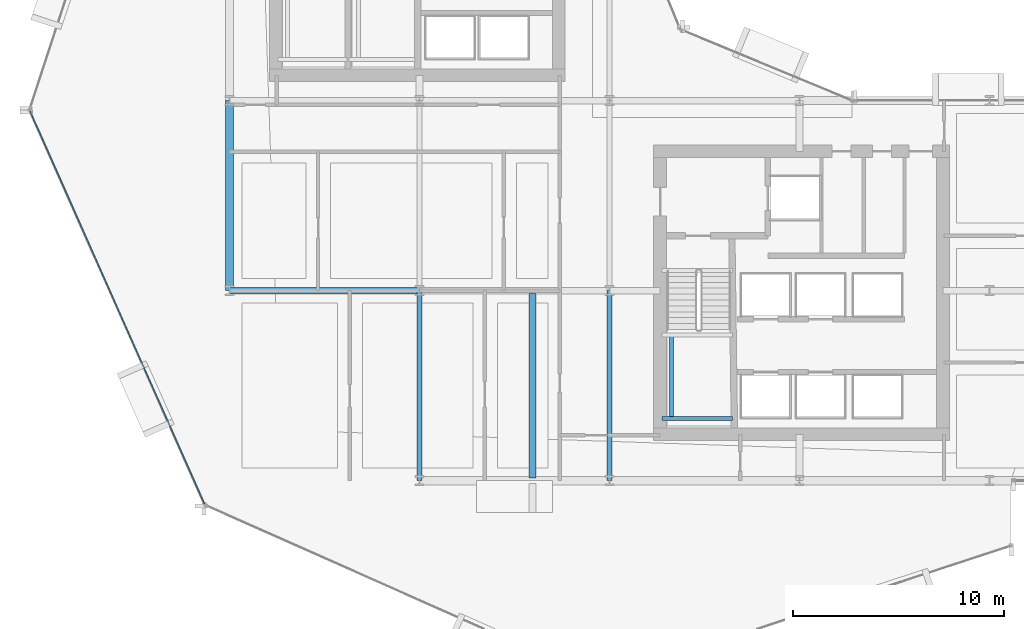
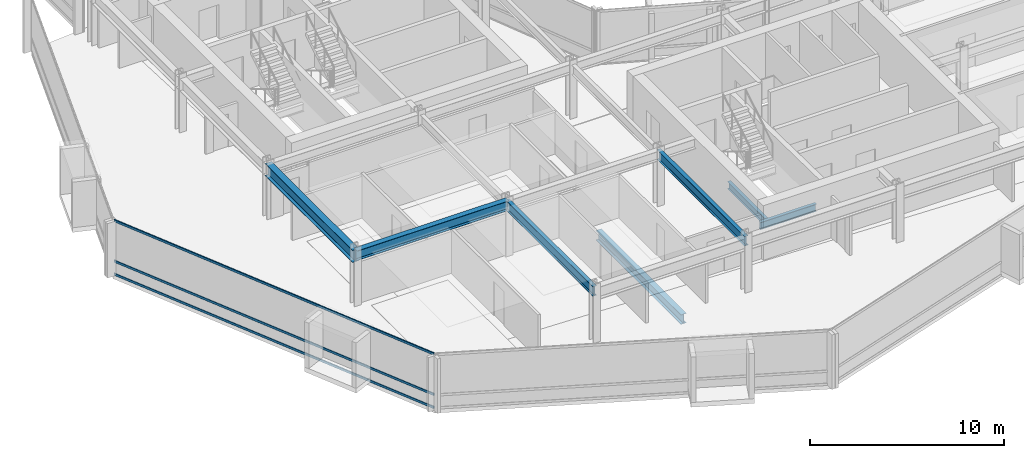
# One storey, part 5 of 34: 7 beams, 3 members, 1 element without a shape of its own.
"""IFC4 building model written with IfcOpenShell, lengths in metres."""

from ifc_helpers import new_model, si_unit, direction, frame, origin, origin_2d, place, context, subcontext, project, spatial, hollow_rectangle, i_section, extrude, material, layer, layer_set, material_profile, profile_set, type_object, element, aggregate, save


model = new_model("IFC4")

# Units and contexts
model_context = context("Model", 3, precision=1e-05, world=origin(), true_north=direction((0.0, 1.0)))
body_context = subcontext(model_context, "Body", "Model", "MODEL_VIEW")
ifc_project = project(units=[si_unit("LENGTHUNIT", "METRE"), si_unit("AREAUNIT", "SQUARE_METRE"), si_unit("VOLUMEUNIT", "CUBIC_METRE"), si_unit("PLANEANGLEUNIT", "RADIAN"), si_unit("MASSUNIT", "GRAM", prefix="KILO")], contexts=[model_context])

# Site, building, storey
site_placement = place(None, origin())
site = spatial("IfcSite", under=ifc_project, at=site_placement, CompositionType="ELEMENT")
building_placement = place(site_placement, origin())
building = spatial("IfcBuilding", under=site, at=building_placement, Name="Solvaryn Broadcast Tower", CompositionType="ELEMENT")
storey_placement = place(building_placement, frame((0.0, 0.0, 76.699951171875)))
storey = spatial("IfcBuildingStorey", under=building, at=storey_placement, Name="L18", CompositionType="ELEMENT", Elevation=76.699951171875)

# Beams
ifc_material_1 = material(Name="Steel ASTM A992 Grade 50", Category="steel")
ifc_material_profile_1 = material_profile(ifc_material_1, i_section(OverallWidth=0.323974609375, OverallDepth=0.611083984375, WebThickness=0.0126953125, FlangeThickness=0.01904296875, FilletRadius=0.014892578125, at=origin_2d()))
ifc_profile_set_1 = profile_set([ifc_material_profile_1], Name="Steel ASTM A992 Grade 50")
beam_type_1 = type_object("IfcBeamType", Name="BM-B1-W24X104", PredefinedType="BEAM", material=ifc_profile_set_1)
beam_1_placement = place(storey_placement, frame((23.35009765625, 17.875, -0.58544921875), z_axis=(0.0, -1.0, 0.0), x_axis=(1.0, 0.0, 0.0)))
element("IfcBeam", 1, at=beam_1_placement, inside=storey, type_object=beam_type_1, Name="L18 Bay-Box Back-Span Beam 1", PredefinedType="BEAM", context=body_context, shape_type="SweptSolid", body=[
    extrude(i_section(OverallWidth=0.323974609375, OverallDepth=0.611083984375, WebThickness=0.0126953125, FlangeThickness=0.01904296875, FilletRadius=0.014892578125, at=origin_2d()), origin(), (0.0, 0.0, 1.0), 8.75),
])
beam_2_placement = place(storey_placement, frame((9.0, 18.0, 3.114501953125), z_axis=(1.0, 0.0, 0.0), x_axis=(0.0, 1.0, 0.0)))
element("IfcBeam", 2, at=beam_2_placement, inside=storey, type_object=beam_type_1, Name="L18 Primary Beam X (9-18 @ Y=18)", PredefinedType="BEAM", context=body_context, shape_type="SweptSolid", body=[
    extrude(i_section(OverallWidth=0.323974609375, OverallDepth=0.611083984375, WebThickness=0.0126953125, FlangeThickness=0.01904296875, FilletRadius=0.014892578125, at=origin_2d()), origin(), (0.0, 0.0, 1.0), 9.0),
])
ifc_material_2 = material(Name="Steel ASTM A992 Grade 50", Category="steel")
ifc_material_profile_2 = material_profile(ifc_material_2, i_section(OverallWidth=0.22802734375, OverallDepth=0.60791015625, WebThickness=0.01123046875, FlangeThickness=0.017333984375, FilletRadius=0.014892578125, at=origin_2d()))
ifc_profile_set_2 = profile_set([ifc_material_profile_2], Name="Steel ASTM A992 Grade 50")
beam_type_2 = type_object("IfcBeamType", Name="BM-B2-W24X76", PredefinedType="BEAM", material=ifc_profile_set_2)
for number, where, z_axis, x_axis, name in (
    (3, (18.0, 9.0, 3.115966796875), (0.0, 1.0, 0.0), (-1.0, 0.0, 0.0), "L18 Primary Beam Y (9-18 @ X=18)"),
    (4, (27.0, 9.0, 3.115966796875), (0.0, 1.0, 0.0), (-1.0, 0.0, 0.0), "L18 Primary Beam Y (9-18 @ X=27)"),
):
    element("IfcBeam", number, at=place(storey_placement, frame(where, z_axis=z_axis, x_axis=x_axis)), inside=storey, type_object=beam_type_2, Name=name, PredefinedType="BEAM", context=body_context, shape_type="SweptSolid", body=[
        extrude(i_section(OverallWidth=0.22802734375, OverallDepth=0.60791015625, WebThickness=0.01123046875, FlangeThickness=0.017333984375, FilletRadius=0.014892578125, at=origin_2d()), origin(), (0.0, 0.0, 1.0), 9.0),
    ])
ifc_material_3 = material(Name="Steel ASTM A992 Grade 50", Category="steel")
ifc_material_profile_3 = material_profile(ifc_material_3, i_section(OverallWidth=0.18994140625, OverallDepth=0.45703125, WebThickness=0.009033203125, FlangeThickness=0.014404296875, FilletRadius=0.011962890625, at=origin_2d()))
ifc_profile_set_3 = profile_set([ifc_material_profile_3], Name="Steel ASTM A992 Grade 50")
beam_type_3 = type_object("IfcBeamType", Name="BM-B4-W18X50", PredefinedType="BEAM", material=ifc_profile_set_3)
beam_3_placement = place(storey_placement, frame((29.5, 11.949951171875, 1.421630859375), z_axis=(1.0, 0.0, 0.0), x_axis=(0.0, 1.0, 0.0)))
element("IfcBeam", 5, at=beam_3_placement, inside=storey, type_object=beam_type_3, Name="L18 ST3 Landing Support Beam 1A", PredefinedType="BEAM", context=body_context, shape_type="SweptSolid", body=[
    extrude(i_section(OverallWidth=0.18994140625, OverallDepth=0.45703125, WebThickness=0.009033203125, FlangeThickness=0.014404296875, FilletRadius=0.011962890625, at=origin_2d()), origin(), (0.0, 0.0, 1.0), 3.320068359375),
])
beam_4_placement = place(storey_placement, frame((29.949951171875, 11.949951171875, 1.421630859375), z_axis=(0.0, 1.0, 0.0), x_axis=(-1.0, 0.0, 0.0)))
element("IfcBeam", 6, at=beam_4_placement, inside=storey, type_object=beam_type_3, Name="L18 ST3 Landing Cross Stringer 1C", PredefinedType="BEAM", context=body_context, shape_type="SweptSolid", body=[
    extrude(i_section(OverallWidth=0.18994140625, OverallDepth=0.45703125, WebThickness=0.009033203125, FlangeThickness=0.014404296875, FilletRadius=0.011962890625, at=origin_2d()), origin(), (0.0, 0.0, 1.0), 3.9599609375),
])
ifc_material_4 = material(Name="Steel ASTM A992 Grade 50", Category="steel")
ifc_material_profile_4 = material_profile(ifc_material_4, i_section(OverallWidth=0.381103515625, OverallDepth=0.77294921875, WebThickness=0.0166015625, FlangeThickness=0.027099609375, FilletRadius=0.01806640625, at=origin_2d()))
ifc_profile_set_4 = profile_set([ifc_material_profile_4], Name="Steel ASTM A992 Grade 50")
beam_type_4 = type_object("IfcBeamType", Name="BM-SP1-W30X173", PredefinedType="USERDEFINED", material=ifc_profile_set_4)
beam_5_placement = place(storey_placement, frame((9.0, 18.0, 3.033447265625), z_axis=(0.0, 1.0, 0.0), x_axis=(-1.0, 0.0, 0.0)))
element("IfcBeam", 7, at=beam_5_placement, inside=storey, type_object=beam_type_4, Name="L18 Spandrel Beam Y (18-27 @ X=9)", ObjectType="SPANDREL", PredefinedType="USERDEFINED", context=body_context, shape_type="SweptSolid", body=[
    extrude(i_section(OverallWidth=0.381103515625, OverallDepth=0.77294921875, WebThickness=0.0166015625, FlangeThickness=0.027099609375, FilletRadius=0.01806640625, at=origin_2d()), origin(), (0.0, 0.0, 1.0), 9.0),
])

# Curtain wall, members
ifc_material_5 = material(Name="Aluminium and Terracotta Unitised Curtain Wall", Category="masonry")
ifc_layer = layer(ifc_material_5, 0.199951171875)
ifc_layer_set = layer_set([ifc_layer], Name="CW-SYS2-LOWMID")
curtain_wall_type = type_object("IfcCurtainWallType", Name="CW-SYS2-LOWMID", PredefinedType="NOTDEFINED", material=ifc_layer_set)
curtain_wall_placement = place(storey_placement, origin())
curtain_wall = element("IfcCurtainWall", 8, at=curtain_wall_placement, inside=storey, type_object=curtain_wall_type, Name="L18 Curtain Wall DR2", PredefinedType="NOTDEFINED")
ifc_material_6 = material(Name="Anodised Aluminium 6063-T6", Category="aluminium")
ifc_material_profile_5 = material_profile(ifc_material_6, hollow_rectangle(XDim=0.06494140625, YDim=0.14990234375, WallThickness=0.00390625, InnerFilletRadius=0.00390625, OuterFilletRadius=0.008056640625, at=origin_2d()))
ifc_profile_set_5 = profile_set([ifc_material_profile_5], Name="Anodised Aluminium 6063-T6")
member_type = type_object("IfcMemberType", Name="CW-TRN-150", PredefinedType="USERDEFINED", material=ifc_profile_set_5)
member_1_placement = place(storey_placement, frame((-0.439697265625, 26.505126953125, 0.030029296875), z_axis=(0.405905872269, -0.913914888191, 0.0), x_axis=(0.913914888191, 0.405905872269, 0.0)))
member_1 = element("IfcMember", 9, at=member_1_placement, type_object=member_type, Name="CWS2 transom 1.1", ObjectType="TRANSOM", PredefinedType="USERDEFINED", context=body_context, shape_type="SweptSolid", body=[
    extrude(hollow_rectangle(XDim=0.06494140625, YDim=0.14990234375, WallThickness=0.00390625, InnerFilletRadius=0.00390625, OuterFilletRadius=0.008056640625, at=origin_2d()), origin(), (0.0, 0.0, 1.0), 20.35546875),
])
member_2_placement = place(storey_placement, frame((-0.439697265625, 26.505126953125, 0.85009765625), z_axis=(0.405905872269, -0.913914888191, 0.0), x_axis=(0.913914888191, 0.405905872269, 0.0)))
member_2 = element("IfcMember", 10, at=member_2_placement, type_object=member_type, Name="CWS2 transom 1.2", ObjectType="TRANSOM", PredefinedType="USERDEFINED", context=body_context, shape_type="SweptSolid", body=[
    extrude(hollow_rectangle(XDim=0.06494140625, YDim=0.14990234375, WallThickness=0.00390625, InnerFilletRadius=0.00390625, OuterFilletRadius=0.008056640625, at=origin_2d()), origin(), (0.0, 0.0, 1.0), 20.35546875),
])
member_3_placement = place(storey_placement, frame((-0.439697265625, 26.505126953125, 3.39013671875), z_axis=(0.405905872269, -0.913914888191, 0.0), x_axis=(0.913914888191, 0.405905872269, 0.0)))
member_3 = element("IfcMember", 11, at=member_3_placement, type_object=member_type, Name="CWS2 transom 1.3", ObjectType="TRANSOM", PredefinedType="USERDEFINED", context=body_context, shape_type="SweptSolid", body=[
    extrude(hollow_rectangle(XDim=0.06494140625, YDim=0.14990234375, WallThickness=0.00390625, InnerFilletRadius=0.00390625, OuterFilletRadius=0.008056640625, at=origin_2d()), origin(), (0.0, 0.0, 1.0), 20.35546875),
])
aggregate(curtain_wall, [member_1, member_2, member_3])

save(model, "model.ifc")
